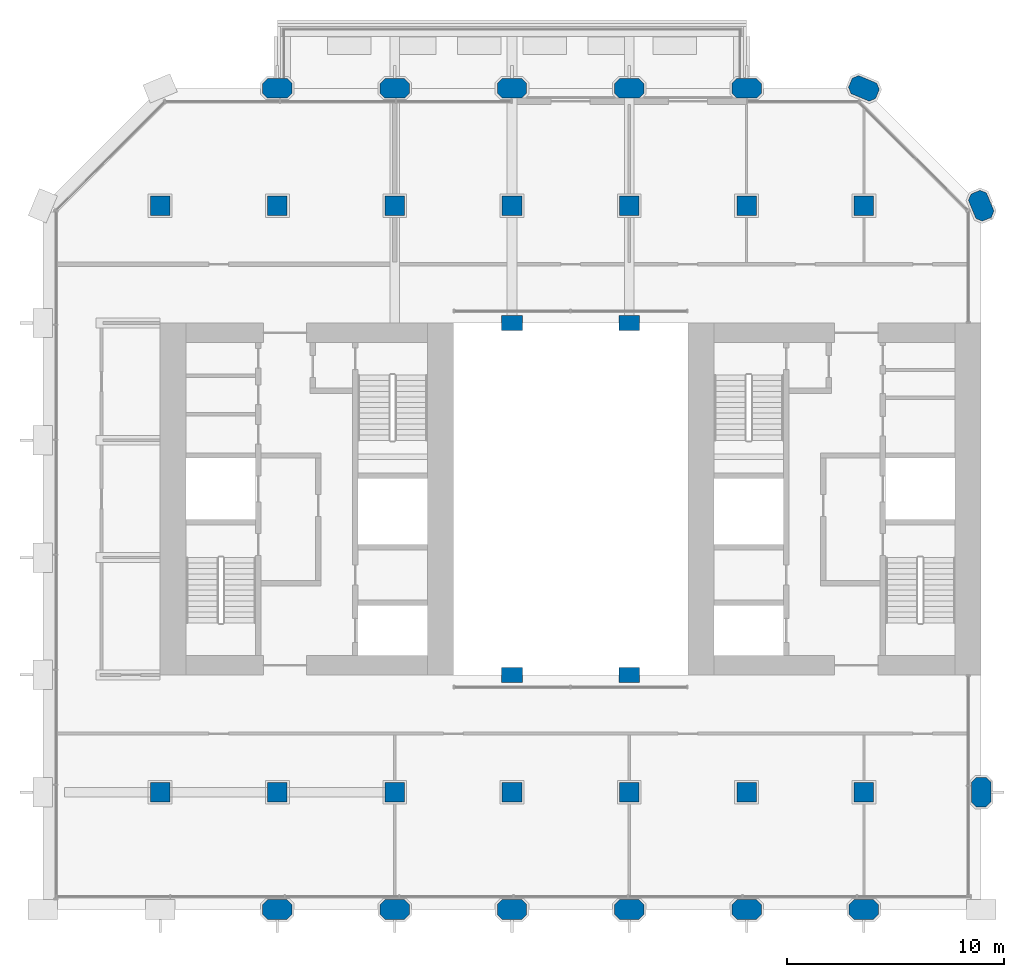
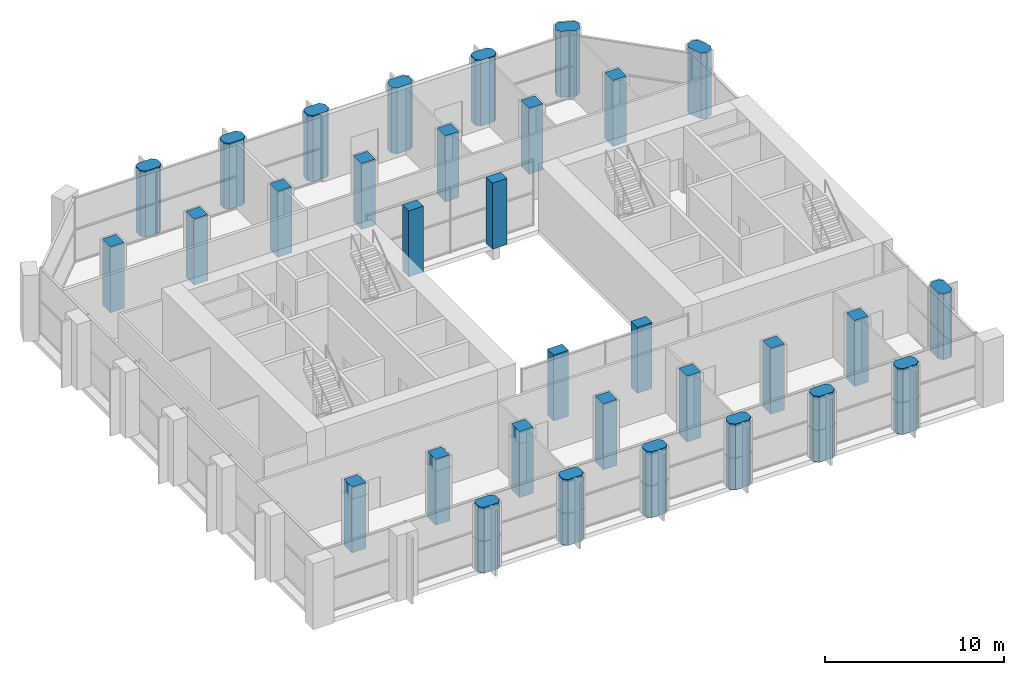
# One storey, part 1 of 15: 32 columns.
"""IFC4 building model written with IfcOpenShell, lengths in metres."""

from ifc_helpers import new_model, si_unit, direction, frame, origin, origin_2d, place, context, subcontext, project, spatial, polyline, rectangle, outline, extrude, material, material_profile, profile_set, type_object, element, save


model = new_model("IFC4")

# Units and contexts
model_context = context("Model", 3, precision=1e-05, world=origin(), true_north=direction((0.0, 1.0)))
body_context = subcontext(model_context, "Body", "Model", "MODEL_VIEW")
ifc_project = project(units=[si_unit("LENGTHUNIT", "METRE"), si_unit("AREAUNIT", "SQUARE_METRE"), si_unit("VOLUMEUNIT", "CUBIC_METRE"), si_unit("PLANEANGLEUNIT", "RADIAN"), si_unit("MASSUNIT", "GRAM", prefix="KILO")], contexts=[model_context])

# Site, building, storey
site_placement = place(None, origin())
site = spatial("IfcSite", under=ifc_project, at=site_placement, CompositionType="ELEMENT")
building_placement = place(site_placement, origin())
building = spatial("IfcBuilding", under=site, at=building_placement, Name="Tabaq Tower and Sports Hall", CompositionType="ELEMENT")
storey_placement = place(building_placement, frame((0.0, 0.0, 138.39990234375)))
storey = spatial("IfcBuildingStorey", under=building, at=storey_placement, Name="L32", CompositionType="ELEMENT", Elevation=138.39990234375)

# Columns
ifc_material_1 = material(Name="Concrete C50/60", Category="concrete")
ifc_material_profile_1 = material_profile(ifc_material_1, rectangle(XDim=0.949951171875, YDim=0.699951171875, at=origin_2d()), Name="ATRIUM COLUMN 950x700")
ifc_profile_set_1 = profile_set([ifc_material_profile_1], Name="Concrete C50/60")
column_type_1 = type_object("IfcColumnType", Name="RC COLUMN ATRIUM COLUMN 950x700 C50/60", PredefinedType="COLUMN", material=ifc_profile_set_1)
for number, where, z_axis, x_axis, name in (
    (1, (21.60009765625, 16.199951171875, 0.0), (0.0, 0.0, 1.0), (1.0, 0.0, 0.0), "Atrium Column 5/D L32"),
    (2, (27.0, 16.199951171875, 0.0), (0.0, 0.0, 1.0), (1.0, 0.0, 0.0), "Atrium Column 6/D L32"),
    (3, (21.60009765625, 32.39990234375, 0.0), (0.0, 0.0, 1.0), (1.0, 0.0, 0.0), "Atrium Column 5/G L32"),
    (4, (27.0, 32.39990234375, 0.0), (0.0, 0.0, 1.0), (1.0, 0.0, 0.0), "Atrium Column 6/G L32"),
):
    element("IfcColumn", number, at=place(storey_placement, frame(where, z_axis=z_axis, x_axis=x_axis)), inside=storey, type_object=column_type_1, Name=name, PredefinedType="COLUMN", context=body_context, shape_type="SweptSolid", body=[
        extrude(rectangle(XDim=0.949951171875, YDim=0.699951171875, at=origin_2d()), origin(), (0.0, 0.0, 1.0), 4.5),
    ])
ifc_material_2 = material(Name="Concrete C50/60", Category="concrete")
ifc_material_profile_2 = material_profile(ifc_material_2, rectangle(XDim=0.89990234375, YDim=0.89990234375, at=origin_2d()), Name="COLUMN 900x900")
ifc_profile_set_2 = profile_set([ifc_material_profile_2], Name="Concrete C50/60")
column_type_2 = type_object("IfcColumnType", Name="RC COLUMN COLUMN 900x900 C50/60", PredefinedType="COLUMN", material=ifc_profile_set_2)
for number, where, z_axis, x_axis, name in (
    (5, (5.39990234375, 10.800048828125, 0.0), (0.0, 0.0, 1.0), (1.0, 0.0, 0.0), "Column 2/C L32"),
    (6, (10.800048828125, 10.800048828125, 0.0), (0.0, 0.0, 1.0), (1.0, 0.0, 0.0), "Column 3/C L32"),
    (7, (16.199951171875, 10.800048828125, 0.0), (0.0, 0.0, 1.0), (1.0, 0.0, 0.0), "Column 4/C L32"),
    (8, (21.60009765625, 10.800048828125, 0.0), (0.0, 0.0, 1.0), (1.0, 0.0, 0.0), "Column 5/C L32"),
    (9, (27.0, 10.800048828125, 0.0), (0.0, 0.0, 1.0), (1.0, 0.0, 0.0), "Column 6/C L32"),
    (10, (32.39990234375, 10.800048828125, 0.0), (0.0, 0.0, 1.0), (1.0, 0.0, 0.0), "Column 7/C L32"),
    (11, (37.800048828125, 10.800048828125, 0.0), (0.0, 0.0, 1.0), (1.0, 0.0, 0.0), "Column 8/C L32"),
    (12, (5.39990234375, 37.800048828125, 0.0), (0.0, 0.0, 1.0), (1.0, 0.0, 0.0), "Column 2/H L32"),
    (13, (10.800048828125, 37.800048828125, 0.0), (0.0, 0.0, 1.0), (1.0, 0.0, 0.0), "Column 3/H L32"),
    (14, (16.199951171875, 37.800048828125, 0.0), (0.0, 0.0, 1.0), (1.0, 0.0, 0.0), "Column 4/H L32"),
    (15, (21.60009765625, 37.800048828125, 0.0), (0.0, 0.0, 1.0), (1.0, 0.0, 0.0), "Column 5/H L32"),
    (16, (27.0, 37.800048828125, 0.0), (0.0, 0.0, 1.0), (1.0, 0.0, 0.0), "Column 6/H L32"),
    (17, (32.39990234375, 37.800048828125, 0.0), (0.0, 0.0, 1.0), (1.0, 0.0, 0.0), "Column 7/H L32"),
    (18, (37.800048828125, 37.800048828125, 0.0), (0.0, 0.0, 1.0), (1.0, 0.0, 0.0), "Column 8/H L32"),
):
    element("IfcColumn", number, at=place(storey_placement, frame(where, z_axis=z_axis, x_axis=x_axis)), inside=storey, type_object=column_type_2, Name=name, PredefinedType="COLUMN", context=body_context, shape_type="SweptSolid", body=[
        extrude(rectangle(XDim=0.89990234375, YDim=0.89990234375, at=origin_2d()), origin(), (0.0, 0.0, 1.0), 4.5),
    ])
ifc_material_3 = material(Name="Concrete C50/60", Category="concrete")
ifc_material_profile_3 = material_profile(ifc_material_3, outline(polyline([(-0.449951171875, -0.449951171875), (0.449951171875, -0.449951171875), (0.675048828125, -0.22509765625), (0.675048828125, 0.22509765625), (0.449951171875, 0.449951171875), (-0.449951171875, 0.449951171875), (-0.675048828125, 0.22509765625), (-0.675048828125, -0.22509765625), (-0.449951171875, -0.449951171875)])), Name="PIER 1350x900")
ifc_profile_set_3 = profile_set([ifc_material_profile_3], Name="Concrete C50/60")
column_type_3 = type_object("IfcColumnType", Name="RC COLUMN PIER 1350x900 C50/60", PredefinedType="COLUMN", material=ifc_profile_set_3)
for number, where, z_axis, x_axis, name in (
    (19, (10.800048828125, 5.39990234375, 0.0), (0.0, 0.0, 1.0), (1.0, 0.0, 0.0), "Pier 3/B L32"),
    (20, (16.199951171875, 5.39990234375, 0.0), (0.0, 0.0, 1.0), (1.0, 0.0, 0.0), "Pier 4/B L32"),
    (21, (21.60009765625, 5.39990234375, 0.0), (0.0, 0.0, 1.0), (1.0, 0.0, 0.0), "Pier 5/B L32"),
    (22, (27.0, 5.39990234375, 0.0), (0.0, 0.0, 1.0), (1.0, 0.0, 0.0), "Pier 6/B L32"),
    (23, (32.39990234375, 5.39990234375, 0.0), (0.0, 0.0, 1.0), (1.0, 0.0, 0.0), "Pier 7/B L32"),
    (24, (37.800048828125, 5.39990234375, 0.0), (0.0, 0.0, 1.0), (1.0, 0.0, 0.0), "Pier 8/B L32"),
    (25, (43.199951171875, 10.800048828125, 0.0), (0.0, 0.0, 1.0), (0.0, 1.0, 0.0), "Pier 9/C L32"),
    (26, (43.199951171875, 37.800048828125, 0.0), (0.0, 0.0, 1.0), (-0.382683432365, 0.923879532511, 0.0), "Pier 9/H L32"),
    (27, (10.800048828125, 43.199951171875, 0.0), (0.0, 0.0, 1.0), (1.0, 0.0, 0.0), "Pier 3/I L32"),
    (28, (16.199951171875, 43.199951171875, 0.0), (0.0, 0.0, 1.0), (1.0, 0.0, 0.0), "Pier 4/I L32"),
    (29, (21.60009765625, 43.199951171875, 0.0), (0.0, 0.0, 1.0), (1.0, 0.0, 0.0), "Pier 5/I L32"),
    (30, (27.0, 43.199951171875, 0.0), (0.0, 0.0, 1.0), (1.0, 0.0, 0.0), "Pier 6/I L32"),
    (31, (32.39990234375, 43.199951171875, 0.0), (0.0, 0.0, 1.0), (1.0, 0.0, 0.0), "Pier 7/I L32"),
    (32, (37.800048828125, 43.199951171875, 0.0), (0.0, 0.0, 1.0), (-0.923879532511, 0.382683432365, 0.0), "Pier 8/I L32"),
):
    element("IfcColumn", number, at=place(storey_placement, frame(where, z_axis=z_axis, x_axis=x_axis)), inside=storey, type_object=column_type_3, Name=name, PredefinedType="COLUMN", context=body_context, shape_type="SweptSolid", body=[
        extrude(outline(polyline([(-0.449951171875, -0.449951171875), (0.449951171875, -0.449951171875), (0.675048828125, -0.22509765625), (0.675048828125, 0.22509765625), (0.449951171875, 0.449951171875), (-0.449951171875, 0.449951171875), (-0.675048828125, 0.22509765625), (-0.675048828125, -0.22509765625), (-0.449951171875, -0.449951171875)])), origin(), (0.0, 0.0, 1.0), 4.5),
    ])

save(model, "model.ifc")
